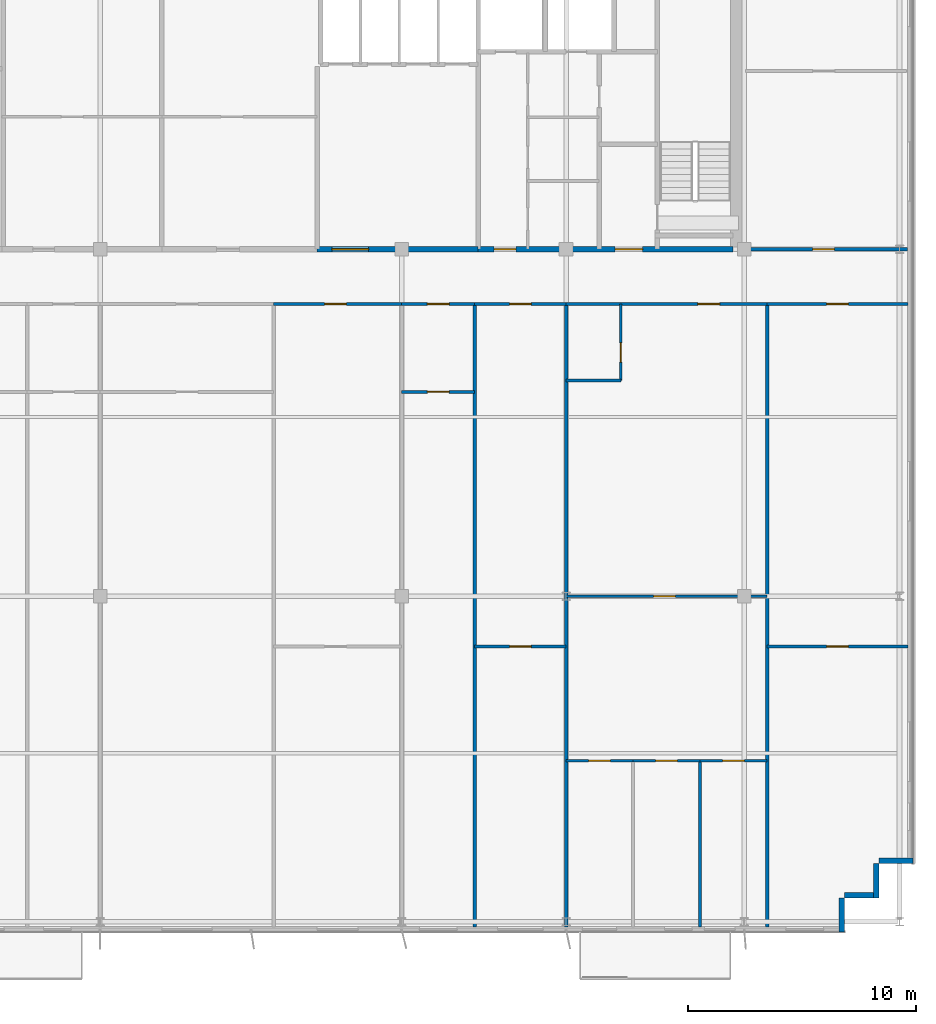
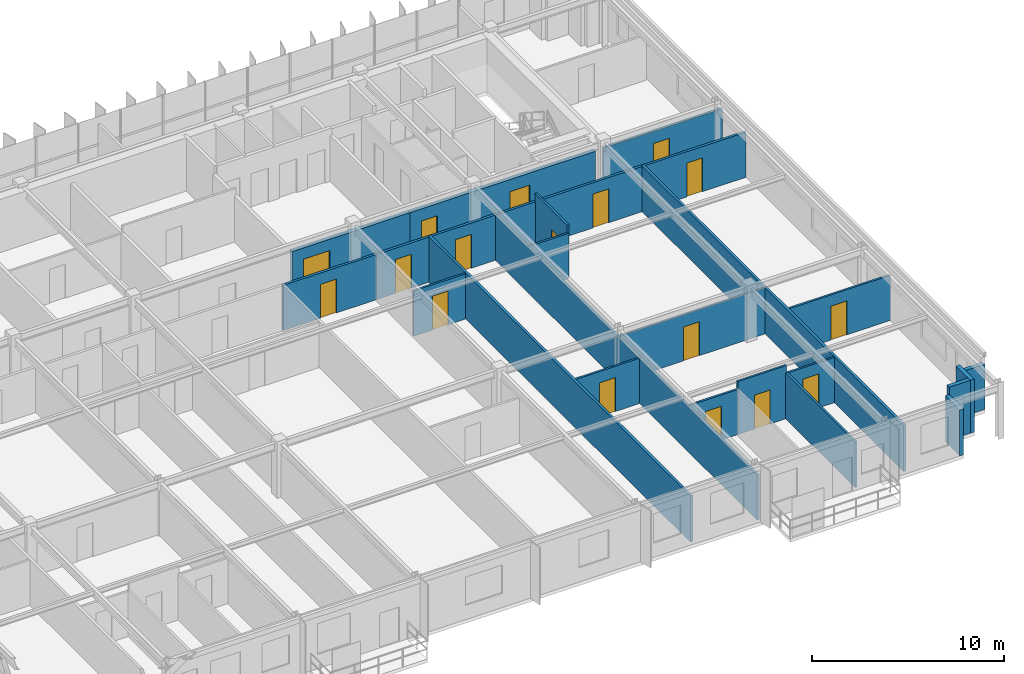
# One storey, part 18 of 22: 25 walls, 17 doors, 17 openings.
"""IFC4 building model written with IfcOpenShell, lengths in metres."""

from ifc_helpers import new_model, si_unit, direction, frame, frame_2d, origin, place, context, subcontext, project, spatial, rectangle, extrude, source, transform, mapped, material, layer, layer_set, type_object, element, fill, save


model = new_model("IFC4")

# Units and contexts
model_context = context("Model", 3, precision=1e-05, world=origin(), true_north=direction((0.0, 1.0)))
body_context = subcontext(model_context, "Body", "Model", "MODEL_VIEW")
ifc_project = project(units=[si_unit("LENGTHUNIT", "METRE"), si_unit("AREAUNIT", "SQUARE_METRE"), si_unit("VOLUMEUNIT", "CUBIC_METRE"), si_unit("PLANEANGLEUNIT", "RADIAN"), si_unit("MASSUNIT", "GRAM", prefix="KILO")], contexts=[model_context])

# Site, building, storey
site_placement = place(None, origin())
site = spatial("IfcSite", under=ifc_project, at=site_placement, CompositionType="ELEMENT")
building_placement = place(site_placement, origin())
building = spatial("IfcBuilding", under=site, at=building_placement, Name="Trelvane Seafront Commons", CompositionType="ELEMENT")
storey_placement = place(building_placement, frame((0.0, 0.0, 284.699951171875)))
storey = spatial("IfcBuildingStorey", under=building, at=storey_placement, Name="L74", CompositionType="ELEMENT", Elevation=284.699951171875)

# Walls
ifc_material_1 = material(Name="Precast concrete C40/50", Category="concrete")
ifc_layer_1 = layer(ifc_material_1, 0.239990234375, Name="ARCH-WALL-EXT240")
ifc_layer_set_1 = layer_set([ifc_layer_1], Name="Precast concrete C40/50")
wall_type_1 = type_object("IfcWallType", Name="ARCH-WALL-EXT240", PredefinedType="SOLIDWALL", material=ifc_layer_set_1)
wall_1_placement = place(storey_placement, frame((66.199951171875, 6.6201171875, 0.0), z_axis=(0.0, 0.0, 1.0), x_axis=(-1.0, 0.0, 0.0)))
element("IfcWall", 1, at=wall_1_placement, inside=storey, type_object=wall_type_1, Name="EW-L74-01502", PredefinedType="SOLIDWALL", context=body_context, shape_type="SweptSolid", body=[
    extrude(rectangle(XDim=1.5, YDim=0.239990234375, at=frame_2d((0.75, 0.0))), origin(), (0.0, 0.0, 1.0), 2.8701171875),
])
for number, where, z_axis, x_axis, name in (
    (2, (64.580078125, 6.5, 0.0), (0.0, 0.0, 1.0), (0.0, -1.0, 0.0), "EW-L74-01503"),
    (3, (64.699951171875, 5.1201171875, 0.0), (0.0, 0.0, 1.0), (-1.0, 0.0, 0.0), "EW-L74-01504"),
):
    element("IfcWall", number, at=place(storey_placement, frame(where, z_axis=z_axis, x_axis=x_axis)), inside=storey, type_object=wall_type_1, Name=name, PredefinedType="SOLIDWALL", context=body_context, shape_type="SweptSolid", body=[
        extrude(rectangle(XDim=1.5, YDim=0.239990234375, at=frame_2d((0.75, 0.0))), origin(), (0.0, 0.0, 1.0), 3.3701171875),
    ])
wall_2_placement = place(storey_placement, frame((63.080078125, 5.0, 0.0), z_axis=(0.0, 0.0, 1.0), x_axis=(0.0, -1.0, 0.0)))
element("IfcWall", 4, at=wall_2_placement, inside=storey, type_object=wall_type_1, Name="EW-L74-01505", PredefinedType="SOLIDWALL", context=body_context, shape_type="SweptSolid", body=[
    extrude(rectangle(XDim=1.5, YDim=0.239990234375, at=frame_2d((0.75, 0.0))), origin(), (0.0, 0.0, 1.0), 2.920166015625),
])

# Wall, opening, door
ifc_material_2 = material(Name="Concrete C40/50", Category="concrete")
ifc_layer_2 = layer(ifc_material_2, 0.25, Name="ARCH-WALL-FIRE250")
ifc_layer_set_2 = layer_set([ifc_layer_2], Name="Concrete C40/50")
wall_type_2 = type_object("IfcWallType", Name="ARCH-WALL-FIRE250", PredefinedType="PARTITIONING", material=ifc_layer_set_2)
wall_3_placement = place(storey_placement, frame((40.10009765625, 33.39990234375, 0.0), z_axis=(0.0, 0.0, 1.0), x_axis=(1.0, 0.0, 0.0)))
wall_3 = element("IfcWall", 5, at=wall_3_placement, inside=storey, type_object=wall_type_2, Name="W-L74-CS-PAX-026", PredefinedType="PARTITIONING", context=body_context, shape_type="SweptSolid", body=[
    extrude(rectangle(XDim=7.0498046875, YDim=0.25, at=frame_2d((3.52490234375, 0.0))), origin(), (0.0, 0.0, 1.0), 2.920166015625),
])
opening_1_placement = place(wall_3_placement, frame((0.64990234375, 0.0, 0.0)))
opening_1 = element("IfcOpeningElement", 6, at=opening_1_placement, cuts=wall_3, Name="Opening FD-L74-14", PredefinedType="OPENING", context=body_context, shape_type="SweptSolid", body=[
    extrude(rectangle(XDim=1.60009765625, YDim=2.199951171875, at=frame_2d((0.800048828125, 1.10009765625))), frame((0.0, 0.135009765625, 0.0), z_axis=(0.0, -1.0, 0.0), x_axis=(1.0, 0.0, 0.0)), (0.0, 0.0, 1.0), 0.27001953125),
])
ifc_material_3 = material(Name="Powder-coated aluminium frame", Category="aluminium")
door_type_1 = type_object("IfcDoorType", Name="ARCH-DR-FD60-1600", OperationType="DOUBLE_DOOR_SINGLE_SWING", PredefinedType="DOOR", material=ifc_material_3)
shared_shape_1 = source(origin(), body_context, "Body", "SweptSolid", [
    extrude(rectangle(XDim=1.60009765625, YDim=2.199951171875, at=frame_2d((0.800048828125, 1.10009765625))), frame((0.0, 0.02490234375, 0.0), z_axis=(0.0, -1.0, 0.0), x_axis=(1.0, 0.0, 0.0)), (0.0, 0.0, 1.0), 0.050048828125),
])
door_1_placement = place(opening_1_placement, origin())
door_1 = element("IfcDoor", 7, at=door_1_placement, inside=storey, type_object=door_type_1, Name="L74 High-Rise Lift Lobby Double Door", OperationType="DOUBLE_DOOR_SINGLE_SWING", OverallHeight=2.199951171875, OverallWidth=1.60009765625, PredefinedType="DOOR", context=body_context, shape_type="MappedRepresentation", body=[
    mapped(shared_shape_1, transform((0.0, 0.0, 0.0), x_axis=(1.0, 0.0, 0.0), y_axis=(0.0, 1.0, 0.0), z_axis=(0.0, 0.0, 1.0), scale=1.0)),
])
fill(opening_1, door_1)

# Wall, openings, doors
wall_4_placement = place(storey_placement, frame((47.14990234375, 33.39990234375, 0.0), z_axis=(0.0, 0.0, 1.0), x_axis=(1.0, 0.0, 0.0)))
wall_4 = element("IfcWall", 8, at=wall_4_placement, inside=storey, type_object=wall_type_2, Name="W-L74-CS-EAST-035", PredefinedType="PARTITIONING", context=body_context, shape_type="SweptSolid", body=[
    extrude(rectangle(XDim=11.150146484375, YDim=0.25, at=frame_2d((5.5751953125, 0.0))), origin(), (0.0, 0.0, 1.0), 2.920166015625),
])
opening_2_placement = place(wall_4_placement, frame((0.699951171875, 0.0, 0.0)))
opening_2 = element("IfcOpeningElement", 9, at=opening_2_placement, cuts=wall_4, Name="Opening FD-L74-21", PredefinedType="OPENING", context=body_context, shape_type="SweptSolid", body=[
    extrude(rectangle(XDim=0.949951171875, YDim=2.14990234375, at=frame_2d((0.47509765625, 1.074951171875))), frame((0.0, 0.135009765625, 0.0), z_axis=(0.0, -1.0, 0.0), x_axis=(1.0, 0.0, 0.0)), (0.0, 0.0, 1.0), 0.27001953125),
])
opening_3_placement = place(wall_4_placement, frame((6.0, 0.0, 0.0)))
opening_3 = element("IfcOpeningElement", 10, at=opening_3_placement, cuts=wall_4, Name="Opening FD-L74-22", PredefinedType="OPENING", context=body_context, shape_type="SweptSolid", body=[
    extrude(rectangle(XDim=1.199951171875, YDim=2.14990234375, at=frame_2d((0.60009765625, 1.074951171875))), frame((0.0, 0.135009765625, 0.0), z_axis=(0.0, -1.0, 0.0), x_axis=(1.0, 0.0, 0.0)), (0.0, 0.0, 1.0), 0.27001953125),
])
door_type_2 = type_object("IfcDoorType", Name="ARCH-DR-FD60-950", OperationType="NOTDEFINED", PredefinedType="DOOR", material=ifc_material_3)
shared_shape_2 = source(origin(), body_context, "Body", "SweptSolid", [
    extrude(rectangle(XDim=0.949951171875, YDim=2.14990234375, at=frame_2d((0.47509765625, 1.074951171875))), frame((0.0, 0.02490234375, 0.0), z_axis=(0.0, -1.0, 0.0), x_axis=(1.0, 0.0, 0.0)), (0.0, 0.0, 1.0), 0.050048828125),
])
door_2_placement = place(opening_2_placement, origin())
door_2 = element("IfcDoor", 11, at=door_2_placement, inside=storey, type_object=door_type_2, Name="L74 Core Service Lobby Door", OperationType="SINGLE_SWING_LEFT", OverallHeight=2.14990234375, OverallWidth=0.949951171875, PredefinedType="DOOR", context=body_context, shape_type="MappedRepresentation", body=[
    mapped(shared_shape_2, transform((0.0, 0.0, 0.0), x_axis=(1.0, 0.0, 0.0), y_axis=(0.0, 1.0, 0.0), z_axis=(0.0, 0.0, 1.0), scale=1.0)),
])
fill(opening_2, door_2)
door_type_3 = type_object("IfcDoorType", Name="ARCH-DR-FD60-1200", OperationType="NOTDEFINED", PredefinedType="DOOR", material=ifc_material_3)
shared_shape_3 = source(origin(), body_context, "Body", "SweptSolid", [
    extrude(rectangle(XDim=1.199951171875, YDim=2.14990234375, at=frame_2d((0.60009765625, 1.074951171875))), frame((0.0, 0.02490234375, 0.0), z_axis=(0.0, -1.0, 0.0), x_axis=(1.0, 0.0, 0.0)), (0.0, 0.0, 1.0), 0.050048828125),
])
door_3_placement = place(opening_3_placement, origin())
door_3 = element("IfcDoor", 12, at=door_3_placement, inside=storey, type_object=door_type_3, Name="L74 East Stair Vestibule Fire Door", OperationType="SINGLE_SWING_RIGHT", OverallHeight=2.14990234375, OverallWidth=1.199951171875, PredefinedType="DOOR", context=body_context, shape_type="MappedRepresentation", body=[
    mapped(shared_shape_3, transform((0.0, 0.0, 0.0), x_axis=(1.0, 0.0, 0.0), y_axis=(0.0, 1.0, 0.0), z_axis=(0.0, 0.0, 1.0), scale=1.0)),
])
fill(opening_3, door_3)

# Wall, opening, door
ifc_material_4 = material(Name="Gypsum Drywall Acoustic Partition")
ifc_layer_3 = layer(ifc_material_4, 0.1201171875, Name="ARCH-WALL-PART120")
ifc_layer_set_3 = layer_set([ifc_layer_3], Name="Gypsum Drywall Acoustic Partition")
wall_type_3 = type_object("IfcWallType", Name="ARCH-WALL-PART120", PredefinedType="PARTITIONING", material=ifc_layer_set_3)
wall_5_placement = place(storey_placement, frame((43.800048828125, 27.14990234375, 0.0), z_axis=(0.0, 0.0, 1.0), x_axis=(1.0, 0.0, 0.0)))
wall_5 = element("IfcWall", 13, at=wall_5_placement, inside=storey, type_object=wall_type_3, Name="W-L74-U7-DIV-072", PredefinedType="PARTITIONING", context=body_context, shape_type="SweptSolid", body=[
    extrude(rectangle(XDim=3.199951171875, YDim=0.1201171875, at=frame_2d((1.60009765625, 0.0))), origin(), (0.0, 0.0, 1.0), 2.8701171875),
])
opening_4_placement = place(wall_5_placement, frame((1.125, 0.0, 0.0)))
opening_4 = element("IfcOpeningElement", 14, at=opening_4_placement, cuts=wall_5, Name="Opening D-L74-47", PredefinedType="OPENING", context=body_context, shape_type="SweptSolid", body=[
    extrude(rectangle(XDim=0.949951171875, YDim=2.14990234375, at=frame_2d((0.47509765625, 1.074951171875))), frame((0.0, 0.070068359375, 0.0), z_axis=(0.0, -1.0, 0.0), x_axis=(1.0, 0.0, 0.0)), (0.0, 0.0, 1.0), 0.14013671875),
])
ifc_material_5 = material(Name="Acoustic timber door leaf", Category="wood")
door_type_4 = type_object("IfcDoorType", Name="ARCH-DR-INT950", OperationType="NOTDEFINED", PredefinedType="DOOR", material=ifc_material_5)
door_4_placement = place(opening_4_placement, origin())
door_4 = element("IfcDoor", 15, at=door_4_placement, inside=storey, type_object=door_type_4, Name="L74 Door 47", OperationType="SINGLE_SWING_LEFT", OverallHeight=2.14990234375, OverallWidth=0.949951171875, PredefinedType="DOOR", context=body_context, shape_type="MappedRepresentation", body=[
    mapped(shared_shape_2, transform((0.0, 0.0, 0.0), x_axis=(1.0, 0.0, 0.0), y_axis=(0.0, 1.0, 0.0), z_axis=(0.0, 0.0, 1.0), scale=1.0)),
])
fill(opening_4, door_4)

wall_6_placement = place(storey_placement, frame((47.0, 16.0, 0.0), z_axis=(0.0, 0.0, 1.0), x_axis=(1.0, 0.0, 0.0)))
wall_6 = element("IfcWall", 16, at=wall_6_placement, inside=storey, type_object=wall_type_3, Name="W-L74-U8-DIV-074", PredefinedType="PARTITIONING", context=body_context, shape_type="SweptSolid", body=[
    extrude(rectangle(XDim=4.0, YDim=0.1201171875, at=frame_2d((2.0, 0.0))), origin(), (0.0, 0.0, 1.0), 2.8701171875),
])
opening_5_placement = place(wall_6_placement, frame((1.52490234375, 0.0, 0.0)))
opening_5 = element("IfcOpeningElement", 17, at=opening_5_placement, cuts=wall_6, Name="Opening D-L74-49", PredefinedType="OPENING", context=body_context, shape_type="SweptSolid", body=[
    extrude(rectangle(XDim=0.949951171875, YDim=2.14990234375, at=frame_2d((0.47509765625, 1.074951171875))), frame((0.0, 0.070068359375, 0.0), z_axis=(0.0, -1.0, 0.0), x_axis=(1.0, 0.0, 0.0)), (0.0, 0.0, 1.0), 0.14013671875),
])
door_5_placement = place(opening_5_placement, origin())
door_5 = element("IfcDoor", 18, at=door_5_placement, inside=storey, type_object=door_type_4, Name="L74 Door 49", OperationType="SINGLE_SWING_LEFT", OverallHeight=2.14990234375, OverallWidth=0.949951171875, PredefinedType="DOOR", context=body_context, shape_type="MappedRepresentation", body=[
    mapped(shared_shape_2, transform((0.0, 0.0, 0.0), x_axis=(1.0, 0.0, 0.0), y_axis=(0.0, 1.0, 0.0), z_axis=(0.0, 0.0, 1.0), scale=1.0)),
])
fill(opening_5, door_5)

wall_7_placement = place(storey_placement, frame((51.0, 18.199951171875, 0.0), z_axis=(0.0, 0.0, 1.0), x_axis=(1.0, 0.0, 0.0)))
wall_7 = element("IfcWall", 19, at=wall_7_placement, inside=storey, type_object=wall_type_3, Name="W-L74-U9-KL-075", PredefinedType="PARTITIONING", context=body_context, shape_type="SweptSolid", body=[
    extrude(rectangle(XDim=8.800048828125, YDim=0.1201171875, at=frame_2d((4.39990234375, 0.0))), origin(), (0.0, 0.0, 1.0), 2.920166015625),
])
opening_6_placement = place(wall_7_placement, frame((3.833984375, 0.0, 0.0)))
opening_6 = element("IfcOpeningElement", 20, at=opening_6_placement, cuts=wall_7, Name="Opening D-L74-50", PredefinedType="OPENING", context=body_context, shape_type="SweptSolid", body=[
    extrude(rectangle(XDim=0.949951171875, YDim=2.14990234375, at=frame_2d((0.47509765625, 1.074951171875))), frame((0.0, 0.070068359375, 0.0), z_axis=(0.0, -1.0, 0.0), x_axis=(1.0, 0.0, 0.0)), (0.0, 0.0, 1.0), 0.14013671875),
])
door_6_placement = place(opening_6_placement, origin())
door_6 = element("IfcDoor", 21, at=door_6_placement, inside=storey, type_object=door_type_4, Name="L74 Door 50", OperationType="SINGLE_SWING_RIGHT", OverallHeight=2.14990234375, OverallWidth=0.949951171875, PredefinedType="DOOR", context=body_context, shape_type="MappedRepresentation", body=[
    mapped(shared_shape_2, transform((0.0, 0.0, 0.0), x_axis=(1.0, 0.0, 0.0), y_axis=(0.0, 1.0, 0.0), z_axis=(0.0, 0.0, 1.0), scale=1.0)),
])
fill(opening_6, door_6)

wall_8_placement = place(storey_placement, frame((53.39990234375, 27.64990234375, 0.0), z_axis=(0.0, 0.0, 1.0), x_axis=(0.0, 1.0, 0.0)))
wall_8 = element("IfcWall", 22, at=wall_8_placement, inside=storey, type_object=wall_type_3, Name="W-L74-U9-BE-076", PredefinedType="PARTITIONING", context=body_context, shape_type="SweptSolid", body=[
    extrude(rectangle(XDim=3.35009765625, YDim=0.1201171875, at=frame_2d((1.675048828125, 0.0))), origin(), (0.0, 0.0, 1.0), 3.3701171875),
])
opening_7_placement = place(wall_8_placement, frame((0.800048828125, 0.0, 0.0)))
opening_7 = element("IfcOpeningElement", 23, at=opening_7_placement, cuts=wall_8, Name="Opening D-L74-51", PredefinedType="OPENING", context=body_context, shape_type="SweptSolid", body=[
    extrude(rectangle(XDim=0.85009765625, YDim=2.10009765625, at=frame_2d((0.425048828125, 1.050048828125))), frame((0.0, 0.070068359375, 0.0), z_axis=(0.0, -1.0, 0.0), x_axis=(1.0, 0.0, 0.0)), (0.0, 0.0, 1.0), 0.14013671875),
])
door_type_5 = type_object("IfcDoorType", Name="ARCH-DR-INT850", OperationType="NOTDEFINED", PredefinedType="DOOR", material=ifc_material_5)
shared_shape_4 = source(origin(), body_context, "Body", "SweptSolid", [
    extrude(rectangle(XDim=0.85009765625, YDim=2.10009765625, at=frame_2d((0.425048828125, 1.050048828125))), frame((0.0, 0.02490234375, 0.0), z_axis=(0.0, -1.0, 0.0), x_axis=(1.0, 0.0, 0.0)), (0.0, 0.0, 1.0), 0.050048828125),
])
door_7_placement = place(opening_7_placement, origin())
door_7 = element("IfcDoor", 24, at=door_7_placement, inside=storey, type_object=door_type_5, Name="L74 Door 51", OperationType="SINGLE_SWING_LEFT", OverallHeight=2.10009765625, OverallWidth=0.85009765625, PredefinedType="DOOR", context=body_context, shape_type="MappedRepresentation", body=[
    mapped(shared_shape_4, transform((0.0, 0.0, 0.0), x_axis=(1.0, 0.0, 0.0), y_axis=(0.0, 1.0, 0.0), z_axis=(0.0, 0.0, 1.0), scale=1.0)),
])
fill(opening_7, door_7)

# Wall
wall_9_placement = place(storey_placement, frame((51.0, 27.64990234375, 0.0), z_axis=(0.0, 0.0, 1.0), x_axis=(1.0, 0.0, 0.0)))
element("IfcWall", 25, at=wall_9_placement, inside=storey, type_object=wall_type_3, Name="W-L74-U9-BS-077", PredefinedType="PARTITIONING", context=body_context, shape_type="SweptSolid", body=[
    extrude(rectangle(XDim=2.39990234375, YDim=0.1201171875, at=frame_2d((1.199951171875, 0.0))), origin(), (0.0, 0.0, 1.0), 2.8701171875),
])

# Wall, opening, door
wall_10_placement = place(storey_placement, frame((51.0, 11.0, 0.0), z_axis=(0.0, 0.0, 1.0), x_axis=(1.0, 0.0, 0.0)))
wall_10 = element("IfcWall", 26, at=wall_10_placement, inside=storey, type_object=wall_type_3, Name="W-L74-U9-YM-1-079", PredefinedType="PARTITIONING", context=body_context, shape_type="SweptSolid", body=[
    extrude(rectangle(XDim=2.93310546875, YDim=0.1201171875, at=frame_2d((1.466552734375, 0.0))), origin(), (0.0, 0.0, 1.0), 2.8701171875),
])
opening_8_placement = place(wall_10_placement, frame((0.990966796875, 0.0, 0.0)))
opening_8 = element("IfcOpeningElement", 27, at=opening_8_placement, cuts=wall_10, Name="Opening D-L74-53", PredefinedType="OPENING", context=body_context, shape_type="SweptSolid", body=[
    extrude(rectangle(XDim=0.949951171875, YDim=2.14990234375, at=frame_2d((0.47509765625, 1.074951171875))), frame((0.0, 0.070068359375, 0.0), z_axis=(0.0, -1.0, 0.0), x_axis=(1.0, 0.0, 0.0)), (0.0, 0.0, 1.0), 0.14013671875),
])
door_8_placement = place(opening_8_placement, origin())
door_8 = element("IfcDoor", 28, at=door_8_placement, inside=storey, type_object=door_type_4, Name="L74 Door 53", OperationType="SINGLE_SWING_LEFT", OverallHeight=2.14990234375, OverallWidth=0.949951171875, PredefinedType="DOOR", context=body_context, shape_type="MappedRepresentation", body=[
    mapped(shared_shape_2, transform((0.0, 0.0, 0.0), x_axis=(1.0, 0.0, 0.0), y_axis=(0.0, 1.0, 0.0), z_axis=(0.0, 0.0, 1.0), scale=1.0)),
])
fill(opening_8, door_8)

wall_11_placement = place(storey_placement, frame((53.93310546875, 11.0, 0.0), z_axis=(0.0, 0.0, 1.0), x_axis=(1.0, 0.0, 0.0)))
wall_11 = element("IfcWall", 29, at=wall_11_placement, inside=storey, type_object=wall_type_3, Name="W-L74-U9-YM-2-080", PredefinedType="PARTITIONING", context=body_context, shape_type="SweptSolid", body=[
    extrude(rectangle(XDim=2.933837890625, YDim=0.1201171875, at=frame_2d((1.466796875, 0.0))), origin(), (0.0, 0.0, 1.0), 3.3701171875),
])
opening_9_placement = place(wall_11_placement, frame((0.991943359375, 0.0, 0.0)))
opening_9 = element("IfcOpeningElement", 30, at=opening_9_placement, cuts=wall_11, Name="Opening D-L74-54", PredefinedType="OPENING", context=body_context, shape_type="SweptSolid", body=[
    extrude(rectangle(XDim=0.949951171875, YDim=2.14990234375, at=frame_2d((0.47509765625, 1.074951171875))), frame((0.0, 0.070068359375, 0.0), z_axis=(0.0, -1.0, 0.0), x_axis=(1.0, 0.0, 0.0)), (0.0, 0.0, 1.0), 0.14013671875),
])
door_9_placement = place(opening_9_placement, origin())
door_9 = element("IfcDoor", 31, at=door_9_placement, inside=storey, type_object=door_type_4, Name="L74 Door 54", OperationType="SINGLE_SWING_RIGHT", OverallHeight=2.14990234375, OverallWidth=0.949951171875, PredefinedType="DOOR", context=body_context, shape_type="MappedRepresentation", body=[
    mapped(shared_shape_2, transform((0.0, 0.0, 0.0), x_axis=(1.0, 0.0, 0.0), y_axis=(0.0, 1.0, 0.0), z_axis=(0.0, 0.0, 1.0), scale=1.0)),
])
fill(opening_9, door_9)

wall_12_placement = place(storey_placement, frame((56.866943359375, 11.0, 0.0), z_axis=(0.0, 0.0, 1.0), x_axis=(1.0, 0.0, 0.0)))
wall_12 = element("IfcWall", 32, at=wall_12_placement, inside=storey, type_object=wall_type_3, Name="W-L74-U9-YM-3-082", PredefinedType="PARTITIONING", context=body_context, shape_type="SweptSolid", body=[
    extrude(rectangle(XDim=2.93310546875, YDim=0.1201171875, at=frame_2d((1.466552734375, 0.0))), origin(), (0.0, 0.0, 1.0), 2.8701171875),
])
opening_10_placement = place(wall_12_placement, frame((0.990966796875, 0.0, 0.0)))
opening_10 = element("IfcOpeningElement", 33, at=opening_10_placement, cuts=wall_12, Name="Opening D-L74-55", PredefinedType="OPENING", context=body_context, shape_type="SweptSolid", body=[
    extrude(rectangle(XDim=0.949951171875, YDim=2.14990234375, at=frame_2d((0.47509765625, 1.074951171875))), frame((0.0, 0.070068359375, 0.0), z_axis=(0.0, -1.0, 0.0), x_axis=(1.0, 0.0, 0.0)), (0.0, 0.0, 1.0), 0.14013671875),
])
door_10_placement = place(opening_10_placement, origin())
door_10 = element("IfcDoor", 34, at=door_10_placement, inside=storey, type_object=door_type_4, Name="L74 Door 55", OperationType="SINGLE_SWING_LEFT", OverallHeight=2.14990234375, OverallWidth=0.949951171875, PredefinedType="DOOR", context=body_context, shape_type="MappedRepresentation", body=[
    mapped(shared_shape_2, transform((0.0, 0.0, 0.0), x_axis=(1.0, 0.0, 0.0), y_axis=(0.0, 1.0, 0.0), z_axis=(0.0, 0.0, 1.0), scale=1.0)),
])
fill(opening_10, door_10)

# Wall
wall_13_placement = place(storey_placement, frame((56.866943359375, 3.72509765625, 0.0), z_axis=(0.0, 0.0, 1.0), x_axis=(0.0, 1.0, 0.0)))
element("IfcWall", 35, at=wall_13_placement, inside=storey, type_object=wall_type_3, Name="W-L74-U9-BDV-2-083", PredefinedType="PARTITIONING", context=body_context, shape_type="SweptSolid", body=[
    extrude(rectangle(XDim=7.27490234375, YDim=0.1201171875, at=frame_2d((3.637451171875, 0.0))), origin(), (0.0, 0.0, 1.0), 2.920166015625),
])

# Wall, opening, door
wall_14_placement = place(storey_placement, frame((59.800048828125, 16.0, 0.0), z_axis=(0.0, 0.0, 1.0), x_axis=(1.0, 0.0, 0.0)))
wall_14 = element("IfcWall", 36, at=wall_14_placement, inside=storey, type_object=wall_type_3, Name="W-L74-U10-DIV-085", PredefinedType="PARTITIONING", context=body_context, shape_type="SweptSolid", body=[
    extrude(rectangle(XDim=6.175048828125, YDim=0.1201171875, at=frame_2d((3.08740234375, 0.0))), origin(), (0.0, 0.0, 1.0), 2.8701171875),
])
opening_11_placement = place(wall_14_placement, frame((2.612060546875, 0.0, 0.0)))
opening_11 = element("IfcOpeningElement", 37, at=opening_11_placement, cuts=wall_14, Name="Opening D-L74-57", PredefinedType="OPENING", context=body_context, shape_type="SweptSolid", body=[
    extrude(rectangle(XDim=0.949951171875, YDim=2.14990234375, at=frame_2d((0.47509765625, 1.074951171875))), frame((0.0, 0.070068359375, 0.0), z_axis=(0.0, -1.0, 0.0), x_axis=(1.0, 0.0, 0.0)), (0.0, 0.0, 1.0), 0.14013671875),
])
door_11_placement = place(opening_11_placement, origin())
door_11 = element("IfcDoor", 38, at=door_11_placement, inside=storey, type_object=door_type_4, Name="L74 Door 57", OperationType="SINGLE_SWING_LEFT", OverallHeight=2.14990234375, OverallWidth=0.949951171875, PredefinedType="DOOR", context=body_context, shape_type="MappedRepresentation", body=[
    mapped(shared_shape_2, transform((0.0, 0.0, 0.0), x_axis=(1.0, 0.0, 0.0), y_axis=(0.0, 1.0, 0.0), z_axis=(0.0, 0.0, 1.0), scale=1.0)),
])
fill(opening_11, door_11)

ifc_layer_4 = layer(ifc_material_4, 0.14990234375, Name="ARCH-WALL-PART150")
ifc_layer_set_4 = layer_set([ifc_layer_4], Name="Gypsum Drywall Acoustic Partition")
wall_type_4 = type_object("IfcWallType", Name="ARCH-WALL-PART150", PredefinedType="PARTITIONING", material=ifc_layer_set_4)
wall_15_placement = place(storey_placement, frame((58.800048828125, 33.39990234375, 0.0), z_axis=(0.0, 0.0, 1.0), x_axis=(1.0, 0.0, 0.0)))
wall_15 = element("IfcWall", 39, at=wall_15_placement, inside=storey, type_object=wall_type_4, Name="W-L74-NE-ENT-039", PredefinedType="PARTITIONING", context=body_context, shape_type="SweptSolid", body=[
    extrude(rectangle(XDim=7.14990234375, YDim=0.14990234375, at=frame_2d((3.574951171875, 0.0))), origin(), (0.0, 0.0, 1.0), 2.920166015625),
])
opening_12_placement = place(wall_15_placement, frame((3.0, 0.0, 0.0)))
opening_12 = element("IfcOpeningElement", 40, at=opening_12_placement, cuts=wall_15, Name="Opening FD-L74-26", PredefinedType="OPENING", context=body_context, shape_type="SweptSolid", body=[
    extrude(rectangle(XDim=0.949951171875, YDim=2.14990234375, at=frame_2d((0.47509765625, 1.074951171875))), frame((0.0, 0.0849609375, 0.0), z_axis=(0.0, -1.0, 0.0), x_axis=(1.0, 0.0, 0.0)), (0.0, 0.0, 1.0), 0.169921875),
])
door_12_placement = place(opening_12_placement, origin())
door_12 = element("IfcDoor", 41, at=door_12_placement, inside=storey, type_object=door_type_2, Name="L74 NE Suite Entrance Door", OperationType="SINGLE_SWING_RIGHT", OverallHeight=2.14990234375, OverallWidth=0.949951171875, PredefinedType="DOOR", context=body_context, shape_type="MappedRepresentation", body=[
    mapped(shared_shape_2, transform((0.0, 0.0, 0.0), x_axis=(1.0, 0.0, 0.0), y_axis=(0.0, 1.0, 0.0), z_axis=(0.0, 0.0, 1.0), scale=1.0)),
])
fill(opening_12, door_12)

# Walls
wall_16_placement = place(storey_placement, frame((47.0, 3.72509765625, 0.0), z_axis=(0.0, 0.0, 1.0), x_axis=(0.0, 1.0, 0.0)))
element("IfcWall", 42, at=wall_16_placement, inside=storey, type_object=wall_type_4, Name="W-L74-PW-7-049", PredefinedType="PARTITIONING", context=body_context, shape_type="SweptSolid", body=[
    extrude(rectangle(XDim=27.27490234375, YDim=0.14990234375, at=frame_2d((13.637451171875, 0.0))), origin(), (0.0, 0.0, 1.0), 2.920166015625),
])
wall_17_placement = place(storey_placement, frame((51.0, 3.72509765625, 0.0), z_axis=(0.0, 0.0, 1.0), x_axis=(0.0, 1.0, 0.0)))
element("IfcWall", 43, at=wall_17_placement, inside=storey, type_object=wall_type_4, Name="W-L74-PW-8-050", PredefinedType="PARTITIONING", context=body_context, shape_type="SweptSolid", body=[
    extrude(rectangle(XDim=27.27490234375, YDim=0.14990234375, at=frame_2d((13.637451171875, 0.0))), origin(), (0.0, 0.0, 1.0), 2.8701171875),
])
wall_18_placement = place(storey_placement, frame((59.800048828125, 3.72509765625, 0.0), z_axis=(0.0, 0.0, 1.0), x_axis=(0.0, 1.0, 0.0)))
element("IfcWall", 44, at=wall_18_placement, inside=storey, type_object=wall_type_4, Name="W-L74-PW-9-051", PredefinedType="PARTITIONING", context=body_context, shape_type="SweptSolid", body=[
    extrude(rectangle(XDim=27.27490234375, YDim=0.14990234375, at=frame_2d((13.637451171875, 0.0))), origin(), (0.0, 0.0, 1.0), 2.920166015625),
])

# Wall, opening, door
wall_19_placement = place(storey_placement, frame((38.199951171875, 31.0, 0.0), z_axis=(0.0, 0.0, 1.0), x_axis=(1.0, 0.0, 0.0)))
wall_19 = element("IfcWall", 45, at=wall_19_placement, inside=storey, type_object=wall_type_4, Name="W-L74-CS-BAY-6-069", PredefinedType="PARTITIONING", context=body_context, shape_type="SweptSolid", body=[
    extrude(rectangle(XDim=5.60009765625, YDim=0.14990234375, at=frame_2d((2.800048828125, 0.0))), origin(), (0.0, 0.0, 1.0), 2.8701171875),
])
opening_13_placement = place(wall_19_placement, frame((2.23193359375, 0.0, 0.0)))
opening_13 = element("IfcOpeningElement", 46, at=opening_13_placement, cuts=wall_19, Name="Opening FD-L74-44", PredefinedType="OPENING", context=body_context, shape_type="SweptSolid", body=[
    extrude(rectangle(XDim=0.949951171875, YDim=2.14990234375, at=frame_2d((0.47509765625, 1.074951171875))), frame((0.0, 0.0849609375, 0.0), z_axis=(0.0, -1.0, 0.0), x_axis=(1.0, 0.0, 0.0)), (0.0, 0.0, 1.0), 0.169921875),
])
door_13_placement = place(opening_13_placement, origin())
door_13 = element("IfcDoor", 47, at=door_13_placement, inside=storey, type_object=door_type_2, Name="L74 Bay 06 Entrance Door", OperationType="SINGLE_SWING_RIGHT", OverallHeight=2.14990234375, OverallWidth=0.949951171875, PredefinedType="DOOR", context=body_context, shape_type="MappedRepresentation", body=[
    mapped(shared_shape_2, transform((0.0, 0.0, 0.0), x_axis=(1.0, 0.0, 0.0), y_axis=(0.0, 1.0, 0.0), z_axis=(0.0, 0.0, 1.0), scale=1.0)),
])
fill(opening_13, door_13)

wall_20_placement = place(storey_placement, frame((43.800048828125, 31.0, 0.0), z_axis=(0.0, 0.0, 1.0), x_axis=(1.0, 0.0, 0.0)))
wall_20 = element("IfcWall", 48, at=wall_20_placement, inside=storey, type_object=wall_type_4, Name="W-L74-CS-BAY-7-071", PredefinedType="PARTITIONING", context=body_context, shape_type="SweptSolid", body=[
    extrude(rectangle(XDim=3.199951171875, YDim=0.14990234375, at=frame_2d((1.60009765625, 0.0))), origin(), (0.0, 0.0, 1.0), 2.8701171875),
])
opening_14_placement = place(wall_20_placement, frame((1.125, 0.0, 0.0)))
opening_14 = element("IfcOpeningElement", 49, at=opening_14_placement, cuts=wall_20, Name="Opening FD-L74-46", PredefinedType="OPENING", context=body_context, shape_type="SweptSolid", body=[
    extrude(rectangle(XDim=0.949951171875, YDim=2.14990234375, at=frame_2d((0.47509765625, 1.074951171875))), frame((0.0, 0.0849609375, 0.0), z_axis=(0.0, -1.0, 0.0), x_axis=(1.0, 0.0, 0.0)), (0.0, 0.0, 1.0), 0.169921875),
])
door_14_placement = place(opening_14_placement, origin())
door_14 = element("IfcDoor", 50, at=door_14_placement, inside=storey, type_object=door_type_2, Name="L74 Bay 07 Entrance Door", OperationType="SINGLE_SWING_RIGHT", OverallHeight=2.14990234375, OverallWidth=0.949951171875, PredefinedType="DOOR", context=body_context, shape_type="MappedRepresentation", body=[
    mapped(shared_shape_2, transform((0.0, 0.0, 0.0), x_axis=(1.0, 0.0, 0.0), y_axis=(0.0, 1.0, 0.0), z_axis=(0.0, 0.0, 1.0), scale=1.0)),
])
fill(opening_14, door_14)

wall_21_placement = place(storey_placement, frame((47.0, 31.0, 0.0), z_axis=(0.0, 0.0, 1.0), x_axis=(1.0, 0.0, 0.0)))
wall_21 = element("IfcWall", 51, at=wall_21_placement, inside=storey, type_object=wall_type_4, Name="W-L74-CS-BAY-8-073", PredefinedType="PARTITIONING", context=body_context, shape_type="SweptSolid", body=[
    extrude(rectangle(XDim=4.0, YDim=0.14990234375, at=frame_2d((2.0, 0.0))), origin(), (0.0, 0.0, 1.0), 2.8701171875),
])
opening_15_placement = place(wall_21_placement, frame((1.52490234375, 0.0, 0.0)))
opening_15 = element("IfcOpeningElement", 52, at=opening_15_placement, cuts=wall_21, Name="Opening FD-L74-48", PredefinedType="OPENING", context=body_context, shape_type="SweptSolid", body=[
    extrude(rectangle(XDim=0.949951171875, YDim=2.14990234375, at=frame_2d((0.47509765625, 1.074951171875))), frame((0.0, 0.0849609375, 0.0), z_axis=(0.0, -1.0, 0.0), x_axis=(1.0, 0.0, 0.0)), (0.0, 0.0, 1.0), 0.169921875),
])
door_15_placement = place(opening_15_placement, origin())
door_15 = element("IfcDoor", 53, at=door_15_placement, inside=storey, type_object=door_type_2, Name="L74 Bay 08 Entrance Door", OperationType="SINGLE_SWING_RIGHT", OverallHeight=2.14990234375, OverallWidth=0.949951171875, PredefinedType="DOOR", context=body_context, shape_type="MappedRepresentation", body=[
    mapped(shared_shape_2, transform((0.0, 0.0, 0.0), x_axis=(1.0, 0.0, 0.0), y_axis=(0.0, 1.0, 0.0), z_axis=(0.0, 0.0, 1.0), scale=1.0)),
])
fill(opening_15, door_15)

wall_22_placement = place(storey_placement, frame((51.0, 31.0, 0.0), z_axis=(0.0, 0.0, 1.0), x_axis=(1.0, 0.0, 0.0)))
wall_22 = element("IfcWall", 54, at=wall_22_placement, inside=storey, type_object=wall_type_4, Name="W-L74-CS-BAY-9-078", PredefinedType="PARTITIONING", context=body_context, shape_type="SweptSolid", body=[
    extrude(rectangle(XDim=8.800048828125, YDim=0.14990234375, at=frame_2d((4.39990234375, 0.0))), origin(), (0.0, 0.0, 1.0), 2.8701171875),
])
opening_16_placement = place(wall_22_placement, frame((5.77587890625, 0.0, 0.0)))
opening_16 = element("IfcOpeningElement", 55, at=opening_16_placement, cuts=wall_22, Name="Opening FD-L74-52", PredefinedType="OPENING", context=body_context, shape_type="SweptSolid", body=[
    extrude(rectangle(XDim=0.949951171875, YDim=2.14990234375, at=frame_2d((0.47509765625, 1.074951171875))), frame((0.0, 0.0849609375, 0.0), z_axis=(0.0, -1.0, 0.0), x_axis=(1.0, 0.0, 0.0)), (0.0, 0.0, 1.0), 0.169921875),
])
door_16_placement = place(opening_16_placement, origin())
door_16 = element("IfcDoor", 56, at=door_16_placement, inside=storey, type_object=door_type_2, Name="L74 Unit 09 Entrance Door", OperationType="SINGLE_SWING_RIGHT", OverallHeight=2.14990234375, OverallWidth=0.949951171875, PredefinedType="DOOR", context=body_context, shape_type="MappedRepresentation", body=[
    mapped(shared_shape_2, transform((0.0, 0.0, 0.0), x_axis=(1.0, 0.0, 0.0), y_axis=(0.0, 1.0, 0.0), z_axis=(0.0, 0.0, 1.0), scale=1.0)),
])
fill(opening_16, door_16)

wall_23_placement = place(storey_placement, frame((59.800048828125, 31.0, 0.0), z_axis=(0.0, 0.0, 1.0), x_axis=(1.0, 0.0, 0.0)))
wall_23 = element("IfcWall", 57, at=wall_23_placement, inside=storey, type_object=wall_type_4, Name="W-L74-CS-BAY-10-084", PredefinedType="PARTITIONING", context=body_context, shape_type="SweptSolid", body=[
    extrude(rectangle(XDim=6.175048828125, YDim=0.14990234375, at=frame_2d((3.08740234375, 0.0))), origin(), (0.0, 0.0, 1.0), 2.8701171875),
])
opening_17_placement = place(wall_23_placement, frame((2.612060546875, 0.0, 0.0)))
opening_17 = element("IfcOpeningElement", 58, at=opening_17_placement, cuts=wall_23, Name="Opening FD-L74-56", PredefinedType="OPENING", context=body_context, shape_type="SweptSolid", body=[
    extrude(rectangle(XDim=0.949951171875, YDim=2.14990234375, at=frame_2d((0.47509765625, 1.074951171875))), frame((0.0, 0.0849609375, 0.0), z_axis=(0.0, -1.0, 0.0), x_axis=(1.0, 0.0, 0.0)), (0.0, 0.0, 1.0), 0.169921875),
])
door_17_placement = place(opening_17_placement, origin())
door_17 = element("IfcDoor", 59, at=door_17_placement, inside=storey, type_object=door_type_2, Name="L74 Bay 10 Entrance Door", OperationType="SINGLE_SWING_RIGHT", OverallHeight=2.14990234375, OverallWidth=0.949951171875, PredefinedType="DOOR", context=body_context, shape_type="MappedRepresentation", body=[
    mapped(shared_shape_2, transform((0.0, 0.0, 0.0), x_axis=(1.0, 0.0, 0.0), y_axis=(0.0, 1.0, 0.0), z_axis=(0.0, 0.0, 1.0), scale=1.0)),
])
fill(opening_17, door_17)

save(model, "model.ifc")
